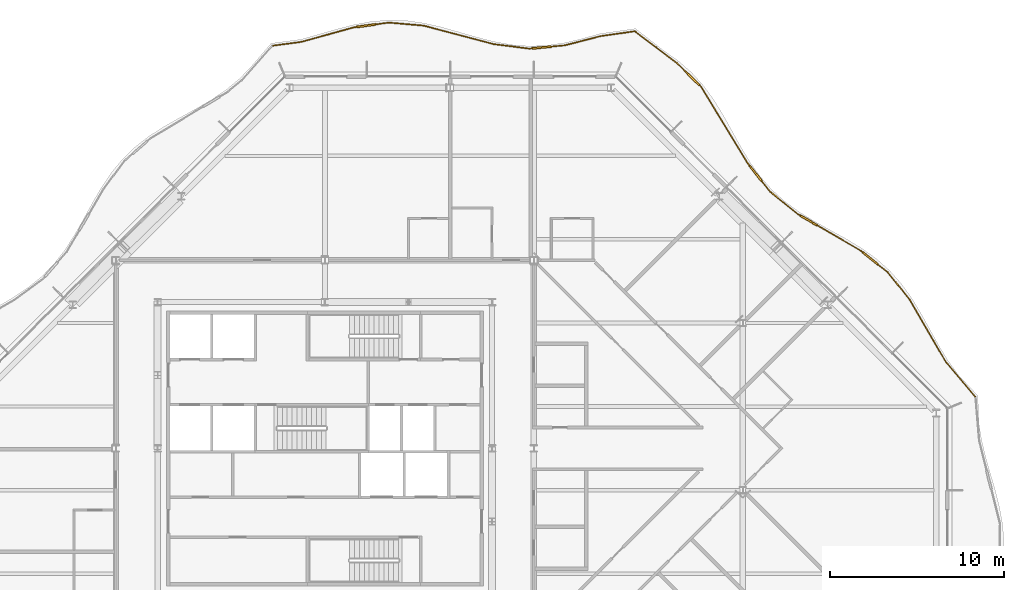
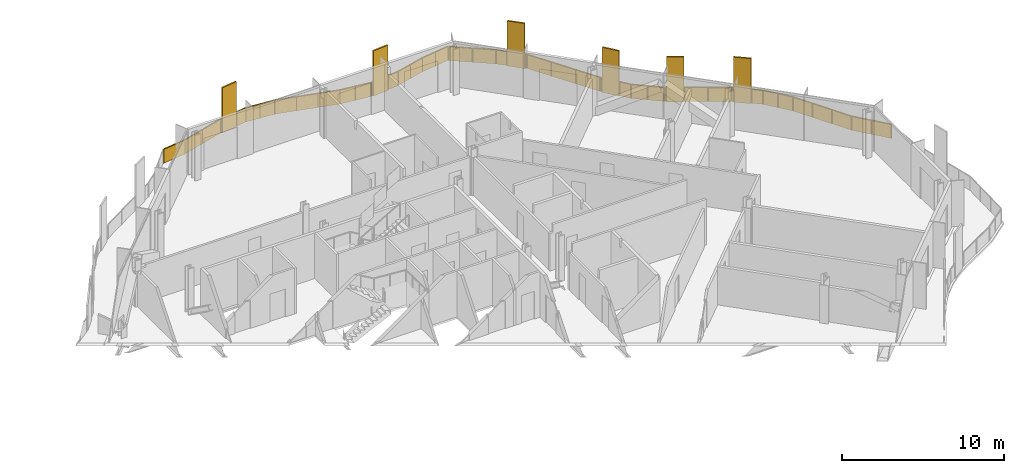
# One storey, part 17 of 17: 2 railings.
"""IFC4 building model written with IfcOpenShell, lengths in metres."""

from ifc_helpers import new_model, si_unit, direction, frame, origin, origin_2d, place, context, subcontext, project, spatial, polyline, rectangle, outline, extrude, material, type_object, element, save


model = new_model("IFC4")

# Units and contexts
model_context = context("Model", 3, precision=1e-05, world=origin(), true_north=direction((0.0, 1.0)))
body_context = subcontext(model_context, "Body", "Model", "MODEL_VIEW")
ifc_project = project(units=[si_unit("LENGTHUNIT", "METRE"), si_unit("AREAUNIT", "SQUARE_METRE"), si_unit("VOLUMEUNIT", "CUBIC_METRE"), si_unit("PLANEANGLEUNIT", "RADIAN"), si_unit("MASSUNIT", "GRAM", prefix="KILO")], contexts=[model_context])

# Site, building, storey
site_placement = place(None, origin())
site = spatial("IfcSite", under=ifc_project, at=site_placement, CompositionType="ELEMENT")
building_placement = place(site_placement, origin())
building = spatial("IfcBuilding", under=site, at=building_placement, Name="Cairn Pilgrim Tower", CompositionType="ELEMENT")
storey_placement = place(building_placement, frame((0.0, 0.0, 228.60009765625)))
storey = spatial("IfcBuildingStorey", under=building, at=storey_placement, Name="L58", CompositionType="ELEMENT", Elevation=228.60009765625)

# Railings
ifc_material = material(Name="Bronze anodised aluminium rail, posts and fin screens with laminated glass infill", Category="aluminium")
railing_type = type_object("IfcRailingType", Name="BALCONY GUARD WITH FIN SCREENS", PredefinedType="GUARDRAIL", material=ifc_material)
railing_1_placement = place(storey_placement, frame((44.5546875, 5.36083984375, 0.0)))
element("IfcRailing", 1, at=railing_1_placement, inside=storey, type_object=railing_type, Name="Balcony guard BGF-4 with fin screens", PredefinedType="GUARDRAIL", context=body_context, shape_type="SweptSolid", body=[
    extrude(rectangle(XDim=0.050048828125, YDim=0.050048828125, at=origin_2d()), frame((0.0, 0.0, 1.0751953125), z_axis=(-0.64806430791, 0.76158561752, 0.0), x_axis=(-0.76158561752, -0.64806430791, 0.0)), (0.0, 0.0, 1.0), 2.6064453125),
    extrude(rectangle(XDim=0.050048828125, YDim=0.050048828125, at=origin_2d()), frame((-1.689208984375, 1.985107421875, 1.0751953125), z_axis=(-0.502484896904, 0.864585986691, 0.0), x_axis=(-0.864585986691, -0.502484896904, 0.0)), (0.0, 0.0, 1.0), 4.163330078125),
    extrude(rectangle(XDim=0.050048828125, YDim=0.050048828125, at=origin_2d()), frame((-3.78125, 5.584716796875, 1.0751953125), z_axis=(-0.625157352372, 0.780498741046, 0.0), x_axis=(-0.780498741046, -0.625157352372, 0.0)), (0.0, 0.0, 1.0), 1.99609375),
    extrude(rectangle(XDim=1.10009765625, YDim=0.110107421875, at=origin_2d()), frame((-6.0400390625, 7.953125, 0.0), z_axis=(0.0, 0.0, 1.0), x_axis=(-0.780235861262, 0.625485412141, 0.0)), (0.0, 0.0, 1.0), 3.39990234375),
    extrude(rectangle(XDim=0.050048828125, YDim=0.050048828125, at=origin_2d()), frame((-5.029052734375, 7.142578125, 1.0751953125), z_axis=(-0.780235861262, 0.625485412141, 0.0), x_axis=(-0.625485412141, -0.780235861262, 0.0)), (0.0, 0.0, 1.0), 0.74560546875),
    extrude(rectangle(XDim=0.050048828125, YDim=0.050048828125, at=origin_2d()), frame((-6.46923828125, 8.297119140625, 1.0751953125), z_axis=(-0.780235861262, 0.625485412141, 0.0), x_axis=(-0.625485412141, -0.780235861262, 0.0)), (0.0, 0.0, 1.0), 0.150146484375),
    extrude(rectangle(XDim=1.10009765625, YDim=0.110107421875, at=origin_2d()), frame((-9.5791015625, 10.13037109375, 0.0), z_axis=(0.0, 0.0, 1.0), x_axis=(-0.864573572057, 0.502506257175, 0.0)), (0.0, 0.0, 1.0), 3.39990234375),
    extrude(rectangle(XDim=0.050048828125, YDim=0.050048828125, at=origin_2d()), frame((-6.586181640625, 8.390869140625, 1.0751953125), z_axis=(-0.864573572057, 0.502506257175, 0.0), x_axis=(-0.502506257175, -0.864573572057, 0.0)), (0.0, 0.0, 1.0), 2.91162109375),
    extrude(rectangle(XDim=0.050048828125, YDim=0.050048828125, at=origin_2d()), frame((-10.054443359375, 10.40673828125, 1.0751953125), z_axis=(-0.864573572057, 0.502506257175, 0.0), x_axis=(-0.502506257175, -0.864573572057, 0.0)), (0.0, 0.0, 1.0), 0.150146484375),
    extrude(rectangle(XDim=0.050048828125, YDim=0.050048828125, at=origin_2d()), frame((-10.184326171875, 10.482177734375, 1.0751953125), z_axis=(-0.777594108247, 0.6287665726, 0.0), x_axis=(-0.6287665726, -0.777594108247, 0.0)), (0.0, 0.0, 1.0), 2.050537109375),
    extrude(rectangle(XDim=1.10009765625, YDim=0.110107421875, at=origin_2d()), frame((-12.618408203125, 12.8291015625, 0.0), z_axis=(0.0, 0.0, 1.0), x_axis=(-0.621757575398, 0.783209753154, 0.0)), (0.0, 0.0, 1.0), 3.39990234375),
    extrude(rectangle(XDim=0.050048828125, YDim=0.050048828125, at=origin_2d()), frame((-11.77880859375, 11.771484375, 1.0751953125), z_axis=(-0.621757575398, 0.783209753154, 0.0), x_axis=(-0.783209753154, -0.621757575398, 0.0)), (0.0, 0.0, 1.0), 0.800537109375),
    extrude(rectangle(XDim=0.050048828125, YDim=0.050048828125, at=origin_2d()), frame((-12.96044921875, 13.260009765625, 1.0751953125), z_axis=(-0.621757575398, 0.783209753154, 0.0), x_axis=(-0.783209753154, -0.621757575398, 0.0)), (0.0, 0.0, 1.0), 0.14990234375),
    extrude(rectangle(XDim=0.050048828125, YDim=0.050048828125, at=origin_2d()), frame((-13.0537109375, 13.37744140625, 1.0751953125), z_axis=(-0.520336780207, 0.853961143825, 0.0), x_axis=(-0.853961143825, -0.520336780207, 0.0)), (0.0, 0.0, 1.0), 5.1650390625),
    extrude(rectangle(XDim=1.10009765625, YDim=0.110107421875, at=origin_2d()), frame((-16.2412109375, 18.278076171875, 0.0), z_axis=(0.0, 0.0, 1.0), x_axis=(-0.714150063952, 0.699992632931, 0.0)), (0.0, 0.0, 1.0), 3.39990234375),
    extrude(rectangle(XDim=0.050048828125, YDim=0.050048828125, at=origin_2d()), frame((-15.7412109375, 17.7880859375, 1.0751953125), z_axis=(-0.714150063952, 0.699992632931, 0.0), x_axis=(-0.699992632931, -0.714150063952, 0.0)), (0.0, 0.0, 1.0), 0.14990234375),
    extrude(rectangle(XDim=0.050048828125, YDim=0.050048828125, at=origin_2d()), frame((-16.6337890625, 18.6630859375, 1.0751953125), z_axis=(-0.714150063952, 0.699992632931, 0.0), x_axis=(-0.699992632931, -0.714150063952, 0.0)), (0.0, 0.0, 1.0), 0.733154296875),
    extrude(rectangle(XDim=0.050048828125, YDim=0.050048828125, at=origin_2d()), frame((-17.157470703125, 19.17626953125, 1.0751953125), z_axis=(-0.797707926481, 0.60304399842, 0.0), x_axis=(-0.60304399842, -0.797707926481, 0.0)), (0.0, 0.0, 1.0), 2.947265625),
    extrude(rectangle(XDim=0.050048828125, YDim=0.050048828125, at=origin_2d()), origin(), (0.0, 0.0, 1.0), 1.050048828125),
    extrude(rectangle(XDim=0.050048828125, YDim=0.050048828125, at=origin_2d()), frame((-0.8447265625, 0.99267578125, 0.0)), (0.0, 0.0, 1.0), 1.050048828125),
    extrude(rectangle(XDim=0.050048828125, YDim=0.050048828125, at=origin_2d()), frame((-1.689208984375, 1.985107421875, 0.0)), (0.0, 0.0, 1.0), 1.050048828125),
    extrude(rectangle(XDim=0.050048828125, YDim=0.050048828125, at=origin_2d()), frame((-2.386474609375, 3.18505859375, 0.0)), (0.0, 0.0, 1.0), 1.050048828125),
    extrude(rectangle(XDim=0.050048828125, YDim=0.050048828125, at=origin_2d()), frame((-3.083984375, 4.384765625, 0.0)), (0.0, 0.0, 1.0), 1.050048828125),
    extrude(rectangle(XDim=0.050048828125, YDim=0.050048828125, at=origin_2d()), frame((-3.78125, 5.584716796875, 0.0)), (0.0, 0.0, 1.0), 1.050048828125),
    extrude(rectangle(XDim=0.050048828125, YDim=0.050048828125, at=origin_2d()), frame((-4.4052734375, 6.36376953125, 0.0)), (0.0, 0.0, 1.0), 1.050048828125),
    extrude(rectangle(XDim=0.050048828125, YDim=0.050048828125, at=origin_2d()), frame((-5.029052734375, 7.142578125, 0.0)), (0.0, 0.0, 1.0), 1.050048828125),
    extrude(rectangle(XDim=0.050048828125, YDim=0.050048828125, at=origin_2d()), frame((-5.59130859375, 7.59326171875, 0.0)), (0.0, 0.0, 1.0), 1.050048828125),
    extrude(rectangle(XDim=0.050048828125, YDim=0.050048828125, at=origin_2d()), frame((-6.488525390625, 8.312744140625, 0.0)), (0.0, 0.0, 1.0), 1.050048828125),
    extrude(rectangle(XDim=0.050048828125, YDim=0.050048828125, at=origin_2d()), frame((-6.586181640625, 8.390869140625, 0.0)), (0.0, 0.0, 1.0), 1.050048828125),
    extrude(rectangle(XDim=0.050048828125, YDim=0.050048828125, at=origin_2d()), frame((-7.833984375, 9.1162109375, 0.0)), (0.0, 0.0, 1.0), 1.050048828125),
    extrude(rectangle(XDim=0.050048828125, YDim=0.050048828125, at=origin_2d()), frame((-9.081787109375, 9.84130859375, 0.0)), (0.0, 0.0, 1.0), 1.050048828125),
    extrude(rectangle(XDim=0.050048828125, YDim=0.050048828125, at=origin_2d()), frame((-10.076171875, 10.41943359375, 0.0)), (0.0, 0.0, 1.0), 1.050048828125),
    extrude(rectangle(XDim=0.050048828125, YDim=0.050048828125, at=origin_2d()), frame((-10.184326171875, 10.482177734375, 0.0)), (0.0, 0.0, 1.0), 1.050048828125),
    extrude(rectangle(XDim=0.050048828125, YDim=0.050048828125, at=origin_2d()), frame((-10.9814453125, 11.126953125, 0.0)), (0.0, 0.0, 1.0), 1.050048828125),
    extrude(rectangle(XDim=0.050048828125, YDim=0.050048828125, at=origin_2d()), frame((-11.77880859375, 11.771484375, 0.0)), (0.0, 0.0, 1.0), 1.050048828125),
    extrude(rectangle(XDim=0.050048828125, YDim=0.050048828125, at=origin_2d()), frame((-12.260986328125, 12.37890625, 0.0)), (0.0, 0.0, 1.0), 1.050048828125),
    extrude(rectangle(XDim=0.050048828125, YDim=0.050048828125, at=origin_2d()), frame((-12.97607421875, 13.279541015625, 0.0)), (0.0, 0.0, 1.0), 1.050048828125),
    extrude(rectangle(XDim=0.050048828125, YDim=0.050048828125, at=origin_2d()), frame((-13.0537109375, 13.37744140625, 0.0)), (0.0, 0.0, 1.0), 1.050048828125),
    extrude(rectangle(XDim=0.050048828125, YDim=0.050048828125, at=origin_2d()), frame((-13.949462890625, 14.84765625, 0.0)), (0.0, 0.0, 1.0), 1.050048828125),
    extrude(rectangle(XDim=0.050048828125, YDim=0.050048828125, at=origin_2d()), frame((-14.845458984375, 16.31787109375, 0.0)), (0.0, 0.0, 1.0), 1.050048828125),
    extrude(rectangle(XDim=0.050048828125, YDim=0.050048828125, at=origin_2d()), frame((-15.7412109375, 17.7880859375, 0.0)), (0.0, 0.0, 1.0), 1.050048828125),
    extrude(rectangle(XDim=0.050048828125, YDim=0.050048828125, at=origin_2d()), frame((-15.830322265625, 17.87548828125, 0.0)), (0.0, 0.0, 1.0), 1.050048828125),
    extrude(rectangle(XDim=0.050048828125, YDim=0.050048828125, at=origin_2d()), frame((-16.65185546875, 18.6806640625, 0.0)), (0.0, 0.0, 1.0), 1.050048828125),
    extrude(rectangle(XDim=0.050048828125, YDim=0.050048828125, at=origin_2d()), frame((-17.157470703125, 19.17626953125, 0.0)), (0.0, 0.0, 1.0), 1.050048828125),
    extrude(rectangle(XDim=0.050048828125, YDim=0.050048828125, at=origin_2d()), frame((-18.3330078125, 20.06494140625, 0.0)), (0.0, 0.0, 1.0), 1.050048828125),
    extrude(rectangle(XDim=0.050048828125, YDim=0.050048828125, at=origin_2d()), frame((-19.508544921875, 20.95361328125, 0.0)), (0.0, 0.0, 1.0), 1.050048828125),
    extrude(outline(polyline([(0.02490234375, 0.0), (1.2783203125, 0.0), (1.2783203125, 1.050048828125), (0.02490234375, 1.050048828125), (0.02490234375, 0.0)])), frame((-0.004638671875, -0.00390625, 0.0), z_axis=(0.76158561752, 0.64806430791, 0.0), x_axis=(-0.64806430791, 0.76158561752, 0.0)), (0.0, 0.0, 1.0), 0.011962890625),
    extrude(outline(polyline([(0.02490234375, 0.0), (1.2783203125, 0.0), (1.2783203125, 1.050048828125), (0.02490234375, 1.050048828125), (0.02490234375, 0.0)])), frame((-0.84912109375, 0.98876953125, 0.0), z_axis=(0.76158561752, 0.64806430791, 0.0), x_axis=(-0.64806430791, 0.76158561752, 0.0)), (0.0, 0.0, 1.0), 0.011962890625),
    extrude(outline(polyline([(0.02490234375, 0.0), (1.36279296875, 0.0), (1.36279296875, 1.050048828125), (0.02490234375, 1.050048828125), (0.02490234375, 0.0)])), frame((-1.6943359375, 1.982177734375, 0.0), z_axis=(0.864585986691, 0.502484896904, 0.0), x_axis=(-0.502484896904, 0.864585986691, 0.0)), (0.0, 0.0, 1.0), 0.011962890625),
    extrude(outline(polyline([(0.02490234375, 0.0), (1.36279296875, 0.0), (1.36279296875, 1.050048828125), (0.02490234375, 1.050048828125), (0.02490234375, 0.0)])), frame((-2.391845703125, 3.181884765625, 0.0), z_axis=(0.864585986691, 0.502484896904, 0.0), x_axis=(-0.502484896904, 0.864585986691, 0.0)), (0.0, 0.0, 1.0), 0.011962890625),
    extrude(outline(polyline([(0.02490234375, 0.0), (1.36279296875, 0.0), (1.36279296875, 1.050048828125), (0.02490234375, 1.050048828125), (0.02490234375, 0.0)])), frame((-3.089111328125, 4.3818359375, 0.0), z_axis=(0.864585986691, 0.502484896904, 0.0), x_axis=(-0.502484896904, 0.864585986691, 0.0)), (0.0, 0.0, 1.0), 0.011962890625),
    extrude(outline(polyline([(0.02490234375, 0.0), (0.972900390625, 0.0), (0.972900390625, 1.050048828125), (0.02490234375, 1.050048828125), (0.02490234375, 0.0)])), frame((-3.785888671875, 5.5810546875, 0.0), z_axis=(0.780498741046, 0.625157352372, 0.0), x_axis=(-0.625157352372, 0.780498741046, 0.0)), (0.0, 0.0, 1.0), 0.011962890625),
    extrude(outline(polyline([(0.02490234375, 0.0), (0.972900390625, 0.0), (0.972900390625, 1.050048828125), (0.02490234375, 1.050048828125), (0.02490234375, 0.0)])), frame((-4.409912109375, 6.35986328125, 0.0), z_axis=(0.780498741046, 0.625157352372, 0.0), x_axis=(-0.625157352372, 0.780498741046, 0.0)), (0.0, 0.0, 1.0), 0.011962890625),
    extrude(outline(polyline([(0.02490234375, 0.0), (0.695556640625, 0.0), (0.695556640625, 1.050048828125), (0.02490234375, 1.050048828125), (0.02490234375, 0.0)])), frame((-5.03271484375, 7.137939453125, 0.0), z_axis=(0.625485412141, 0.780235861262, 0.0), x_axis=(-0.780235861262, 0.625485412141, 0.0)), (0.0, 0.0, 1.0), 0.011962890625),
    extrude(outline(polyline([(0.02490234375, 0.0), (0.10009765625, 0.0), (0.10009765625, 1.050048828125), (0.02490234375, 1.050048828125), (0.02490234375, 0.0)])), frame((-6.492431640625, 8.30810546875, 0.0), z_axis=(0.625485412141, 0.780235861262, 0.0), x_axis=(-0.780235861262, 0.625485412141, 0.0)), (0.0, 0.0, 1.0), 0.011962890625),
    extrude(outline(polyline([(0.02490234375, 0.0), (1.418212890625, 0.0), (1.418212890625, 1.050048828125), (0.02490234375, 1.050048828125), (0.02490234375, 0.0)])), frame((-6.589111328125, 8.3857421875, 0.0), z_axis=(0.502506257175, 0.864573572057, 0.0), x_axis=(-0.864573572057, 0.502506257175, 0.0)), (0.0, 0.0, 1.0), 0.011962890625),
    extrude(outline(polyline([(0.02490234375, 0.0), (1.418212890625, 0.0), (1.418212890625, 1.050048828125), (0.02490234375, 1.050048828125), (0.02490234375, 0.0)])), frame((-7.837158203125, 9.111083984375, 0.0), z_axis=(0.502506257175, 0.864573572057, 0.0), x_axis=(-0.864573572057, 0.502506257175, 0.0)), (0.0, 0.0, 1.0), 0.011962890625),
    extrude(outline(polyline([(0.02490234375, 0.0), (0.10009765625, 0.0), (0.10009765625, 1.050048828125), (0.02490234375, 1.050048828125), (0.02490234375, 0.0)])), frame((-10.0791015625, 10.4140625, 0.0), z_axis=(0.502506257175, 0.864573572057, 0.0), x_axis=(-0.864573572057, 0.502506257175, 0.0)), (0.0, 0.0, 1.0), 0.011962890625),
    extrude(outline(polyline([(0.02490234375, 0.0), (1.000244140625, 0.0), (1.000244140625, 1.050048828125), (0.02490234375, 1.050048828125), (0.02490234375, 0.0)])), frame((-10.18798828125, 10.4775390625, 0.0), z_axis=(0.6287665726, 0.777594108247, 0.0), x_axis=(-0.777594108247, 0.6287665726, 0.0)), (0.0, 0.0, 1.0), 0.011962890625),
    extrude(outline(polyline([(0.02490234375, 0.0), (1.000244140625, 0.0), (1.000244140625, 1.050048828125), (0.02490234375, 1.050048828125), (0.02490234375, 0.0)])), frame((-10.9853515625, 11.1220703125, 0.0), z_axis=(0.6287665726, 0.777594108247, 0.0), x_axis=(-0.777594108247, 0.6287665726, 0.0)), (0.0, 0.0, 1.0), 0.011962890625),
    extrude(outline(polyline([(0.02490234375, 0.0), (0.75048828125, 0.0), (0.75048828125, 1.050048828125), (0.02490234375, 1.050048828125), (0.02490234375, 0.0)])), frame((-11.783447265625, 11.767822265625, 0.0), z_axis=(0.783209753154, 0.621757575398, 0.0), x_axis=(-0.621757575398, 0.783209753154, 0.0)), (0.0, 0.0, 1.0), 0.011962890625),
    extrude(outline(polyline([(0.02490234375, 0.0), (0.099853515625, 0.0), (0.099853515625, 1.050048828125), (0.02490234375, 1.050048828125), (0.02490234375, 0.0)])), frame((-12.980712890625, 13.27587890625, 0.0), z_axis=(0.783209753154, 0.621757575398, 0.0), x_axis=(-0.621757575398, 0.783209753154, 0.0)), (0.0, 0.0, 1.0), 0.011962890625),
    extrude(outline(polyline([(0.02490234375, 0.0), (1.696533203125, 0.0), (1.696533203125, 1.050048828125), (0.02490234375, 1.050048828125), (0.02490234375, 0.0)])), frame((-13.058837890625, 13.374267578125, 0.0), z_axis=(0.853961143825, 0.520336780207, 0.0), x_axis=(-0.520336780207, 0.853961143825, 0.0)), (0.0, 0.0, 1.0), 0.011962890625),
    extrude(outline(polyline([(0.02490234375, 0.0), (1.696533203125, 0.0), (1.696533203125, 1.050048828125), (0.02490234375, 1.050048828125), (0.02490234375, 0.0)])), frame((-13.95458984375, 14.844482421875, 0.0), z_axis=(0.853961143825, 0.520336780207, 0.0), x_axis=(-0.520336780207, 0.853961143825, 0.0)), (0.0, 0.0, 1.0), 0.011962890625),
    extrude(outline(polyline([(0.02490234375, 0.0), (1.696533203125, 0.0), (1.696533203125, 1.050048828125), (0.02490234375, 1.050048828125), (0.02490234375, 0.0)])), frame((-14.8505859375, 16.314697265625, 0.0), z_axis=(0.853961143825, 0.520336780207, 0.0), x_axis=(-0.520336780207, 0.853961143825, 0.0)), (0.0, 0.0, 1.0), 0.011962890625),
    extrude(outline(polyline([(0.02490234375, 0.0), (0.099853515625, 0.0), (0.099853515625, 1.050048828125), (0.02490234375, 1.050048828125), (0.02490234375, 0.0)])), frame((-15.745361328125, 17.783935546875, 0.0), z_axis=(0.699992632931, 0.714150063952, 0.0), x_axis=(-0.714150063952, 0.699992632931, 0.0)), (0.0, 0.0, 1.0), 0.011962890625),
    extrude(outline(polyline([(0.02490234375, 0.0), (0.68310546875, 0.0), (0.68310546875, 1.050048828125), (0.02490234375, 1.050048828125), (0.02490234375, 0.0)])), frame((-16.656005859375, 18.67626953125, 0.0), z_axis=(0.699992632931, 0.714150063952, 0.0), x_axis=(-0.714150063952, 0.699992632931, 0.0)), (0.0, 0.0, 1.0), 0.011962890625),
    extrude(outline(polyline([(0.02490234375, 0.0), (1.44873046875, 0.0), (1.44873046875, 1.050048828125), (0.02490234375, 1.050048828125), (0.02490234375, 0.0)])), frame((-17.1611328125, 19.17138671875, 0.0), z_axis=(0.60304399842, 0.797707926481, 0.0), x_axis=(-0.797707926481, 0.60304399842, 0.0)), (0.0, 0.0, 1.0), 0.011962890625),
    extrude(outline(polyline([(0.02490234375, 0.0), (1.44873046875, 0.0), (1.44873046875, 1.050048828125), (0.02490234375, 1.050048828125), (0.02490234375, 0.0)])), frame((-18.336669921875, 20.06005859375, 0.0), z_axis=(0.60304399842, 0.797707926481, 0.0), x_axis=(-0.797707926481, 0.60304399842, 0.0)), (0.0, 0.0, 1.0), 0.011962890625),
])
railing_2_placement = place(storey_placement, frame((24.998291015625, 26.3505859375, 0.0)))
element("IfcRailing", 2, at=railing_2_placement, inside=storey, type_object=railing_type, Name="Balcony guard BGF-5 with fin screens", PredefinedType="GUARDRAIL", context=body_context, shape_type="SweptSolid", body=[
    extrude(rectangle(XDim=0.050048828125, YDim=0.050048828125, at=origin_2d()), frame((0.0, 0.0, 1.0751953125), z_axis=(-0.989986094938, -0.141164910047, 0.0), x_axis=(0.141164910047, -0.989986094938, 0.0)), (0.0, 0.0, 1.0), 1.999267578125),
    extrude(rectangle(XDim=0.050048828125, YDim=0.050048828125, at=origin_2d()), frame((-1.979248046875, -0.2822265625, 1.0751953125), z_axis=(-0.968026298604, -0.250848729736, 0.0), x_axis=(0.250848729736, -0.968026298604, 0.0)), (0.0, 0.0, 1.0), 2.091552734375),
    extrude(rectangle(XDim=1.10009765625, YDim=0.110107421875, at=origin_2d()), frame((-5.3564453125, -0.934326171875, 0.0), z_axis=(0.0, 0.0, 1.0), x_axis=(-0.995590376149, -0.093807264745, 0.0)), (0.0, 0.0, 1.0), 3.39990234375),
    extrude(rectangle(XDim=0.050048828125, YDim=0.050048828125, at=origin_2d()), frame((-4.00390625, -0.806884765625, 1.0751953125), z_axis=(-0.995590376149, -0.093807264745, 0.0), x_axis=(0.093807264745, -0.995590376149, 0.0)), (0.0, 0.0, 1.0), 0.80859375),
    extrude(rectangle(XDim=0.050048828125, YDim=0.050048828125, at=origin_2d()), frame((-5.904052734375, -0.98583984375, 1.0751953125), z_axis=(-0.995590376149, -0.093807264745, 0.0), x_axis=(0.093807264745, -0.995590376149, 0.0)), (0.0, 0.0, 1.0), 0.150146484375),
    extrude(rectangle(XDim=0.050048828125, YDim=0.050048828125, at=origin_2d()), frame((-6.053466796875, -1.0, 1.0751953125), z_axis=(-0.992015413663, 0.126116688249, 0.0), x_axis=(-0.126116688249, -0.992015413663, 0.0)), (0.0, 0.0, 1.0), 2.0634765625),
    extrude(rectangle(XDim=0.050048828125, YDim=0.050048828125, at=origin_2d()), frame((-8.1005859375, -0.73974609375, 1.0751953125), z_axis=(-0.966940400006, 0.255002476138, 0.0), x_axis=(-0.255002476138, -0.966940400006, 0.0)), (0.0, 0.0, 1.0), 4.17724609375),
    extrude(rectangle(XDim=0.050048828125, YDim=0.050048828125, at=origin_2d()), frame((-12.1396484375, 0.325439453125, 1.0751953125), z_axis=(-0.996390757709, 0.084884968939, 0.0), x_axis=(-0.084884968939, -0.996390757709, 0.0)), (0.0, 0.0, 1.0), 1.9990234375),
    extrude(rectangle(XDim=1.10009765625, YDim=0.110107421875, at=origin_2d()), frame((-15.432373046875, 0.31884765625, 0.0), z_axis=(0.0, 0.0, 1.0), x_axis=(-0.990944948321, -0.134268795323, 0.0)), (0.0, 0.0, 1.0), 3.39990234375),
    extrude(rectangle(XDim=0.050048828125, YDim=0.050048828125, at=origin_2d()), frame((-14.13134765625, 0.4951171875, 1.0751953125), z_axis=(-0.990944948321, -0.134268795323, 0.0), x_axis=(0.134268795323, -0.990944948321, 0.0)), (0.0, 0.0, 1.0), 0.762939453125),
    extrude(rectangle(XDim=0.050048828125, YDim=0.050048828125, at=origin_2d()), frame((-15.977294921875, 0.244873046875, 1.0751953125), z_axis=(-0.990944948321, -0.134268795323, 0.0), x_axis=(0.134268795323, -0.990944948321, 0.0)), (0.0, 0.0, 1.0), 0.14990234375),
    extrude(rectangle(XDim=0.050048828125, YDim=0.050048828125, at=origin_2d()), frame((-16.1259765625, 0.224853515625, 1.0751953125), z_axis=(-0.963846329929, -0.26645872529, 0.0), x_axis=(0.26645872529, -0.963846329929, 0.0)), (0.0, 0.0, 1.0), 3.1455078125),
    extrude(rectangle(XDim=0.050048828125, YDim=0.050048828125, at=origin_2d()), frame((-19.15771484375, -0.61328125, 1.0751953125), z_axis=(-0.99135476599, -0.131208719028, 0.0), x_axis=(0.131208719028, -0.99135476599, 0.0)), (0.0, 0.0, 1.0), 1.607666015625),
    extrude(rectangle(XDim=0.050048828125, YDim=0.050048828125, at=origin_2d()), origin(), (0.0, 0.0, 1.0), 1.050048828125),
    extrude(rectangle(XDim=0.050048828125, YDim=0.050048828125, at=origin_2d()), frame((-0.98974609375, -0.14111328125, 0.0)), (0.0, 0.0, 1.0), 1.050048828125),
    extrude(rectangle(XDim=0.050048828125, YDim=0.050048828125, at=origin_2d()), frame((-1.979248046875, -0.2822265625, 0.0)), (0.0, 0.0, 1.0), 1.050048828125),
    extrude(rectangle(XDim=0.050048828125, YDim=0.050048828125, at=origin_2d()), frame((-2.99169921875, -0.54443359375, 0.0)), (0.0, 0.0, 1.0), 1.050048828125),
    extrude(rectangle(XDim=0.050048828125, YDim=0.050048828125, at=origin_2d()), frame((-4.00390625, -0.806884765625, 0.0)), (0.0, 0.0, 1.0), 1.050048828125),
    extrude(rectangle(XDim=0.050048828125, YDim=0.050048828125, at=origin_2d()), frame((-4.783935546875, -0.88037109375, 0.0)), (0.0, 0.0, 1.0), 1.050048828125),
    extrude(rectangle(XDim=0.050048828125, YDim=0.050048828125, at=origin_2d()), frame((-5.928955078125, -0.98828125, 0.0)), (0.0, 0.0, 1.0), 1.050048828125),
    extrude(rectangle(XDim=0.050048828125, YDim=0.050048828125, at=origin_2d()), frame((-6.053466796875, -1.0, 0.0)), (0.0, 0.0, 1.0), 1.050048828125),
    extrude(rectangle(XDim=0.050048828125, YDim=0.050048828125, at=origin_2d()), frame((-7.0771484375, -0.869873046875, 0.0)), (0.0, 0.0, 1.0), 1.050048828125),
    extrude(rectangle(XDim=0.050048828125, YDim=0.050048828125, at=origin_2d()), frame((-8.1005859375, -0.73974609375, 0.0)), (0.0, 0.0, 1.0), 1.050048828125),
    extrude(rectangle(XDim=0.050048828125, YDim=0.050048828125, at=origin_2d()), frame((-9.447021484375, -0.384765625, 0.0)), (0.0, 0.0, 1.0), 1.050048828125),
    extrude(rectangle(XDim=0.050048828125, YDim=0.050048828125, at=origin_2d()), frame((-10.793212890625, -0.029541015625, 0.0)), (0.0, 0.0, 1.0), 1.050048828125),
    extrude(rectangle(XDim=0.050048828125, YDim=0.050048828125, at=origin_2d()), frame((-12.1396484375, 0.325439453125, 0.0)), (0.0, 0.0, 1.0), 1.050048828125),
    extrude(rectangle(XDim=0.050048828125, YDim=0.050048828125, at=origin_2d()), frame((-13.135498046875, 0.41015625, 0.0)), (0.0, 0.0, 1.0), 1.050048828125),
    extrude(rectangle(XDim=0.050048828125, YDim=0.050048828125, at=origin_2d()), frame((-14.13134765625, 0.4951171875, 0.0)), (0.0, 0.0, 1.0), 1.050048828125),
    extrude(rectangle(XDim=0.050048828125, YDim=0.050048828125, at=origin_2d()), frame((-14.862548828125, 0.39599609375, 0.0)), (0.0, 0.0, 1.0), 1.050048828125),
    extrude(rectangle(XDim=0.050048828125, YDim=0.050048828125, at=origin_2d()), frame((-16.002197265625, 0.24169921875, 0.0)), (0.0, 0.0, 1.0), 1.050048828125),
    extrude(rectangle(XDim=0.050048828125, YDim=0.050048828125, at=origin_2d()), frame((-16.1259765625, 0.224853515625, 0.0)), (0.0, 0.0, 1.0), 1.050048828125),
    extrude(rectangle(XDim=0.050048828125, YDim=0.050048828125, at=origin_2d()), frame((-17.641845703125, -0.1943359375, 0.0)), (0.0, 0.0, 1.0), 1.050048828125),
    extrude(rectangle(XDim=0.050048828125, YDim=0.050048828125, at=origin_2d()), frame((-19.15771484375, -0.61328125, 0.0)), (0.0, 0.0, 1.0), 1.050048828125),
    extrude(rectangle(XDim=0.050048828125, YDim=0.050048828125, at=origin_2d()), frame((-20.75146484375, -0.82421875, 0.0)), (0.0, 0.0, 1.0), 1.050048828125),
    extrude(outline(polyline([(0.02490234375, 0.0), (0.974609375, 0.0), (0.974609375, 1.050048828125), (0.02490234375, 1.050048828125), (0.02490234375, 0.0)])), frame((0.000732421875, -0.005859375, 0.0), z_axis=(-0.141164910047, 0.989986094938, 0.0), x_axis=(-0.989986094938, -0.141164910047, 0.0)), (0.0, 0.0, 1.0), 0.011962890625),
    extrude(outline(polyline([(0.02490234375, 0.0), (0.974609375, 0.0), (0.974609375, 1.050048828125), (0.02490234375, 1.050048828125), (0.02490234375, 0.0)])), frame((-0.98876953125, -0.14697265625, 0.0), z_axis=(-0.141164910047, 0.989986094938, 0.0), x_axis=(-0.989986094938, -0.141164910047, 0.0)), (0.0, 0.0, 1.0), 0.011962890625),
    extrude(outline(polyline([(0.02490234375, 0.0), (1.020751953125, 0.0), (1.020751953125, 1.050048828125), (0.02490234375, 1.050048828125), (0.02490234375, 0.0)])), frame((-1.977783203125, -0.2880859375, 0.0), z_axis=(-0.250848729736, 0.968026298604, 0.0), x_axis=(-0.968026298604, -0.250848729736, 0.0)), (0.0, 0.0, 1.0), 0.011962890625),
    extrude(outline(polyline([(0.02490234375, 0.0), (1.020751953125, 0.0), (1.020751953125, 1.050048828125), (0.02490234375, 1.050048828125), (0.02490234375, 0.0)])), frame((-2.989990234375, -0.55029296875, 0.0), z_axis=(-0.250848729736, 0.968026298604, 0.0), x_axis=(-0.968026298604, -0.250848729736, 0.0)), (0.0, 0.0, 1.0), 0.011962890625),
    extrude(outline(polyline([(0.02490234375, 0.0), (0.758544921875, 0.0), (0.758544921875, 1.050048828125), (0.02490234375, 1.050048828125), (0.02490234375, 0.0)])), frame((-4.00341796875, -0.812744140625, 0.0), z_axis=(-0.093807264745, 0.995590376149, 0.0), x_axis=(-0.995590376149, -0.093807264745, 0.0)), (0.0, 0.0, 1.0), 0.011962890625),
    extrude(outline(polyline([(0.02490234375, 0.0), (0.10009765625, 0.0), (0.10009765625, 1.050048828125), (0.02490234375, 1.050048828125), (0.02490234375, 0.0)])), frame((-5.92822265625, -0.994140625, 0.0), z_axis=(-0.093807264745, 0.995590376149, 0.0), x_axis=(-0.995590376149, -0.093807264745, 0.0)), (0.0, 0.0, 1.0), 0.011962890625),
    extrude(outline(polyline([(0.02490234375, 0.0), (1.0068359375, 0.0), (1.0068359375, 1.050048828125), (0.02490234375, 1.050048828125), (0.02490234375, 0.0)])), frame((-6.05419921875, -1.005859375, 0.0), z_axis=(0.126116688249, 0.992015413663, 0.0), x_axis=(-0.992015413663, 0.126116688249, 0.0)), (0.0, 0.0, 1.0), 0.011962890625),
    extrude(outline(polyline([(0.02490234375, 0.0), (1.0068359375, 0.0), (1.0068359375, 1.050048828125), (0.02490234375, 1.050048828125), (0.02490234375, 0.0)])), frame((-7.077880859375, -0.875732421875, 0.0), z_axis=(0.126116688249, 0.992015413663, 0.0), x_axis=(-0.992015413663, 0.126116688249, 0.0)), (0.0, 0.0, 1.0), 0.011962890625),
    extrude(outline(polyline([(0.02490234375, 0.0), (1.367431640625, 0.0), (1.367431640625, 1.050048828125), (0.02490234375, 1.050048828125), (0.02490234375, 0.0)])), frame((-8.10205078125, -0.74560546875, 0.0), z_axis=(0.255002476138, 0.966940400006, 0.0), x_axis=(-0.966940400006, 0.255002476138, 0.0)), (0.0, 0.0, 1.0), 0.011962890625),
    extrude(outline(polyline([(0.02490234375, 0.0), (1.367431640625, 0.0), (1.367431640625, 1.050048828125), (0.02490234375, 1.050048828125), (0.02490234375, 0.0)])), frame((-9.448486328125, -0.390380859375, 0.0), z_axis=(0.255002476138, 0.966940400006, 0.0), x_axis=(-0.966940400006, 0.255002476138, 0.0)), (0.0, 0.0, 1.0), 0.011962890625),
    extrude(outline(polyline([(0.02490234375, 0.0), (1.367431640625, 0.0), (1.367431640625, 1.050048828125), (0.02490234375, 1.050048828125), (0.02490234375, 0.0)])), frame((-10.794921875, -0.035400390625, 0.0), z_axis=(0.255002476138, 0.966940400006, 0.0), x_axis=(-0.966940400006, 0.255002476138, 0.0)), (0.0, 0.0, 1.0), 0.011962890625),
    extrude(outline(polyline([(0.02490234375, 0.0), (0.974365234375, 0.0), (0.974365234375, 1.050048828125), (0.02490234375, 1.050048828125), (0.02490234375, 0.0)])), frame((-12.14013671875, 0.319580078125, 0.0), z_axis=(0.084884968939, 0.996390757709, 0.0), x_axis=(-0.996390757709, 0.084884968939, 0.0)), (0.0, 0.0, 1.0), 0.011962890625),
    extrude(outline(polyline([(0.02490234375, 0.0), (0.974365234375, 0.0), (0.974365234375, 1.050048828125), (0.02490234375, 1.050048828125), (0.02490234375, 0.0)])), frame((-13.135986328125, 0.404296875, 0.0), z_axis=(0.084884968939, 0.996390757709, 0.0), x_axis=(-0.996390757709, 0.084884968939, 0.0)), (0.0, 0.0, 1.0), 0.011962890625),
    extrude(outline(polyline([(0.02490234375, 0.0), (0.712890625, 0.0), (0.712890625, 1.050048828125), (0.02490234375, 1.050048828125), (0.02490234375, 0.0)])), frame((-14.130615234375, 0.4892578125, 0.0), z_axis=(-0.134268795323, 0.990944948321, 0.0), x_axis=(-0.990944948321, -0.134268795323, 0.0)), (0.0, 0.0, 1.0), 0.011962890625),
    extrude(outline(polyline([(0.02490234375, 0.0), (0.099853515625, 0.0), (0.099853515625, 1.050048828125), (0.02490234375, 1.050048828125), (0.02490234375, 0.0)])), frame((-16.00146484375, 0.235595703125, 0.0), z_axis=(-0.134268795323, 0.990944948321, 0.0), x_axis=(-0.990944948321, -0.134268795323, 0.0)), (0.0, 0.0, 1.0), 0.011962890625),
    extrude(outline(polyline([(0.02490234375, 0.0), (1.547607421875, 0.0), (1.547607421875, 1.050048828125), (0.02490234375, 1.050048828125), (0.02490234375, 0.0)])), frame((-16.124267578125, 0.218994140625, 0.0), z_axis=(-0.26645872529, 0.963846329929, 0.0), x_axis=(-0.963846329929, -0.26645872529, 0.0)), (0.0, 0.0, 1.0), 0.011962890625),
    extrude(outline(polyline([(0.02490234375, 0.0), (1.547607421875, 0.0), (1.547607421875, 1.050048828125), (0.02490234375, 1.050048828125), (0.02490234375, 0.0)])), frame((-17.64013671875, -0.199951171875, 0.0), z_axis=(-0.26645872529, 0.963846329929, 0.0), x_axis=(-0.963846329929, -0.26645872529, 0.0)), (0.0, 0.0, 1.0), 0.011962890625),
    extrude(outline(polyline([(0.02490234375, 0.0), (1.58251953125, 0.0), (1.58251953125, 1.050048828125), (0.02490234375, 1.050048828125), (0.02490234375, 0.0)])), frame((-19.156982421875, -0.619140625, 0.0), z_axis=(-0.131208719028, 0.99135476599, 0.0), x_axis=(-0.99135476599, -0.131208719028, 0.0)), (0.0, 0.0, 1.0), 0.011962890625),
])

save(model, "model.ifc")
